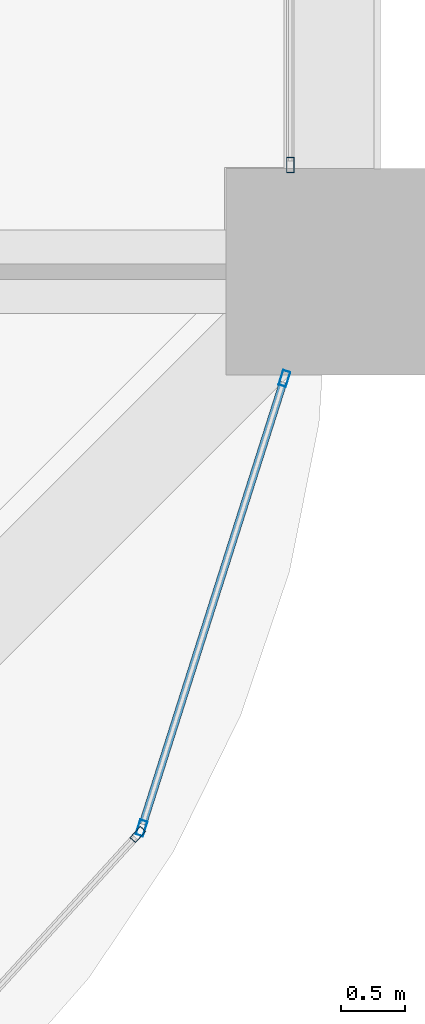
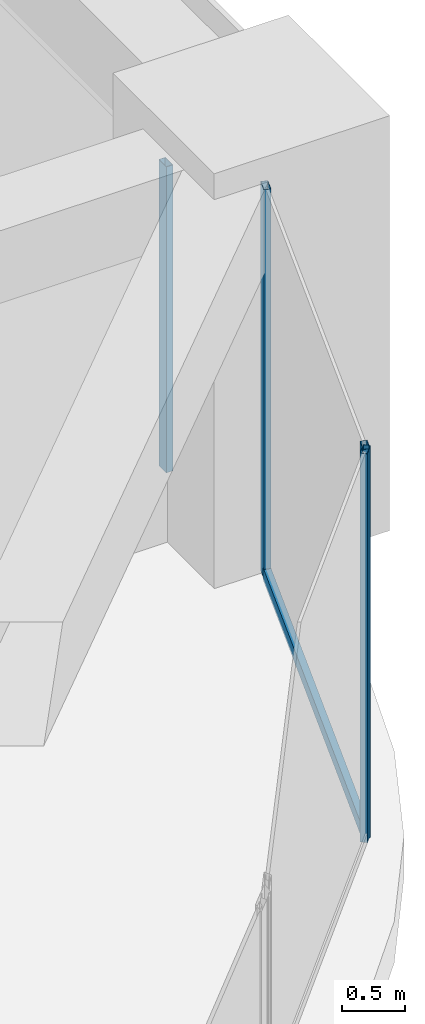
# One storey, part 18 of 40: 5 members, 3 elements without a shape of their own.
"""IFC4 building model written with IfcOpenShell, lengths in metres."""

from ifc_helpers import new_model, si_unit, direction, frame, origin, origin_2d, place, context, subcontext, project, spatial, hollow_rectangle, extrude, material, material_profile, profile_set, type_object, element, aggregate, save


model = new_model("IFC4")

# Units and contexts
model_context = context("Model", 3, precision=1e-05, world=origin(), true_north=direction((0.0, 1.0)))
body_context = subcontext(model_context, "Body", "Model", "MODEL_VIEW")
ifc_project = project(units=[si_unit("LENGTHUNIT", "METRE"), si_unit("AREAUNIT", "SQUARE_METRE"), si_unit("VOLUMEUNIT", "CUBIC_METRE"), si_unit("PLANEANGLEUNIT", "RADIAN"), si_unit("MASSUNIT", "GRAM", prefix="KILO")], contexts=[model_context])

# Site, building, storey
site_placement = place(None, origin())
site = spatial("IfcSite", under=ifc_project, at=site_placement, CompositionType="ELEMENT")
building_placement = place(site_placement, origin())
building = spatial("IfcBuilding", under=site, at=building_placement, Name="Zorevar Civic Tower", CompositionType="ELEMENT")
storey_placement = place(building_placement, frame((0.0, 0.0, 239.39990234375)))
storey = spatial("IfcBuildingStorey", under=building, at=storey_placement, Name="L58", CompositionType="ELEMENT", Elevation=239.39990234375)

# Curtain wall, member
ifc_material_1 = material(Name="Dark grey solar-control glass in black aluminium frame", Category="aluminium")
curtain_wall_type = type_object("IfcCurtainWallType", Name="Curtain wall CW5 top zone", PredefinedType="NOTDEFINED", material=ifc_material_1)
curtain_wall_1_placement = place(storey_placement, origin())
curtain_wall_1 = element("IfcCurtainWall", 1, at=curtain_wall_1_placement, inside=storey, type_object=curtain_wall_type, Name="CW5 L58", PredefinedType="NOTDEFINED")
ifc_material_2 = material(Name="Aluminium, black anodised", Category="aluminium")
ifc_material_profile_1 = material_profile(ifc_material_2, hollow_rectangle(XDim=0.06005859375, YDim=0.1201171875, WallThickness=0.0029296875, at=origin_2d()), Name="AL 120x60x3")
ifc_profile_set_1 = profile_set([ifc_material_profile_1], Name="Aluminium, black anodised")
member_type_1 = type_object("IfcMemberType", Name="CW5 mullion AL 120x60x3", PredefinedType="MULLION", material=ifc_profile_set_1)
member_1_placement = place(storey_placement, frame((53.699951171875, 9.830078125, 0.0), z_axis=(0.0, 0.0, 1.0), x_axis=(-1.0, 0.0, 0.0)))
member_1 = element("IfcMember", 2, at=member_1_placement, type_object=member_type_1, Name="CW5 mullion 1", PredefinedType="MULLION", context=body_context, shape_type="SweptSolid", body=[
    extrude(hollow_rectangle(XDim=0.06005859375, YDim=0.1201171875, WallThickness=0.0029296875, at=origin_2d()), origin(), (0.0, 0.0, 1.0), 2.9501953125),
])
aggregate(curtain_wall_1, [member_1])

curtain_wall_2_placement = place(storey_placement, origin())
curtain_wall_2 = element("IfcCurtainWall", 3, at=curtain_wall_2_placement, inside=storey, type_object=curtain_wall_type, Name="CW5 L58", PredefinedType="NOTDEFINED")
member_2_placement = place(storey_placement, frame((52.515380859375, 4.6298828125, 0.0), z_axis=(0.0, 0.0, 1.0), x_axis=(-0.739157439623, 0.673532686252, 0.0)))
member_2 = element("IfcMember", 4, at=member_2_placement, type_object=member_type_1, Name="CW5 mullion 2", PredefinedType="MULLION", context=body_context, shape_type="SweptSolid", body=[
    extrude(hollow_rectangle(XDim=0.06005859375, YDim=0.1201171875, WallThickness=0.0029296875, at=origin_2d()), origin(), (0.0, 0.0, 1.0), 3.75),
])
aggregate(curtain_wall_2, [member_2])

# Curtain wall, members
curtain_wall_3_placement = place(storey_placement, origin())
curtain_wall_3 = element("IfcCurtainWall", 5, at=curtain_wall_3_placement, inside=storey, type_object=curtain_wall_type, Name="CW5 L58", PredefinedType="NOTDEFINED")
member_3_placement = place(storey_placement, frame((52.544677734375, 4.6806640625, 0.0), z_axis=(0.0, 0.0, 1.0), x_axis=(-0.953035458272, 0.302858738154, 0.0)))
member_3 = element("IfcMember", 6, at=member_3_placement, type_object=member_type_1, Name="CW5 mullion 1", PredefinedType="MULLION", context=body_context, shape_type="SweptSolid", body=[
    extrude(hollow_rectangle(XDim=0.06005859375, YDim=0.1201171875, WallThickness=0.0029296875, at=origin_2d()), origin(), (0.0, 0.0, 1.0), 3.75),
])
member_4_placement = place(storey_placement, frame((53.654052734375, 8.17138671875, 0.0), z_axis=(0.0, 0.0, 1.0), x_axis=(-0.953035458272, 0.302858738154, 0.0)))
member_4 = element("IfcMember", 7, at=member_4_placement, type_object=member_type_1, Name="CW5 mullion 2", PredefinedType="MULLION", context=body_context, shape_type="SweptSolid", body=[
    extrude(hollow_rectangle(XDim=0.06005859375, YDim=0.1201171875, WallThickness=0.0029296875, at=origin_2d()), origin(), (0.0, 0.0, 1.0), 3.75),
])
ifc_material_3 = material(Name="Aluminium, black anodised", Category="aluminium")
ifc_material_profile_2 = material_profile(ifc_material_3, hollow_rectangle(XDim=0.06005859375, YDim=0.1201171875, WallThickness=0.0029296875, at=origin_2d()), Name="AL 120x60x3")
ifc_profile_set_2 = profile_set([ifc_material_profile_2], Name="Aluminium, black anodised")
member_type_2 = type_object("IfcMemberType", Name="CW5 transom AL 120x60x3", PredefinedType="USERDEFINED", material=ifc_profile_set_2)
member_5_placement = place(storey_placement, frame((52.5537109375, 4.709228515625, 0.030029296875), z_axis=(0.302840020249, 0.953041406307, 0.0), x_axis=(-0.953041406307, 0.302840020249, 0.0)))
member_5 = element("IfcMember", 8, at=member_5_placement, type_object=member_type_2, Name="CW5 sill transom", ObjectType="TRANSOM", PredefinedType="USERDEFINED", context=body_context, shape_type="SweptSolid", body=[
    extrude(hollow_rectangle(XDim=0.06005859375, YDim=0.1201171875, WallThickness=0.0029296875, at=origin_2d()), origin(), (0.0, 0.0, 1.0), 3.602783203125),
])
aggregate(curtain_wall_3, [member_3, member_4, member_5])

save(model, "model.ifc")
